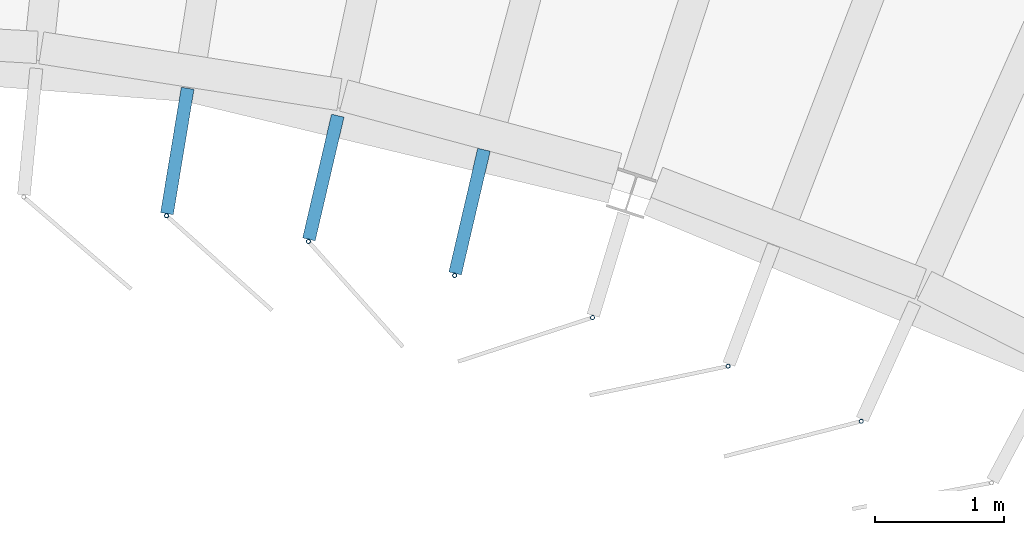
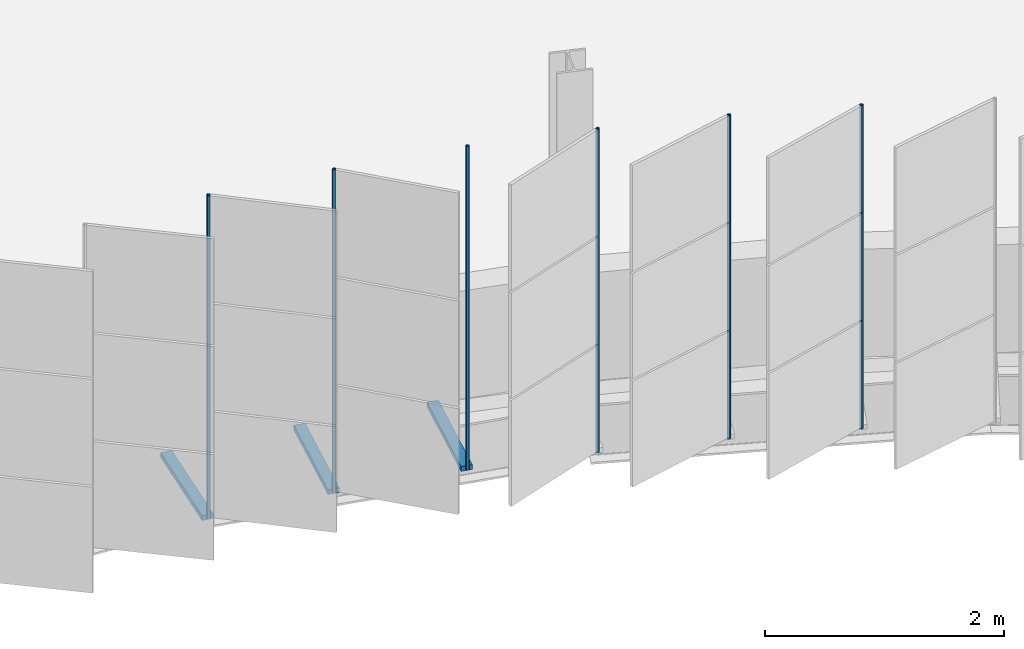
# One storey, part 126 of 214: 9 discrete accessories.
"""IFC4 building model written with IfcOpenShell, lengths in metres."""

from ifc_helpers import new_model, si_unit, direction, frame, origin, origin_2d, place, context, subcontext, project, spatial, rectangle, hollow_circle, extrude, material, material_profile, profile_set, type_object, element, save


model = new_model("IFC4")

# Units and contexts
model_context = context("Model", 3, precision=1e-05, world=origin(), true_north=direction((0.0, 1.0)))
body_context = subcontext(model_context, "Body", "Model", "MODEL_VIEW")
ifc_project = project(units=[si_unit("LENGTHUNIT", "METRE"), si_unit("AREAUNIT", "SQUARE_METRE"), si_unit("VOLUMEUNIT", "CUBIC_METRE"), si_unit("PLANEANGLEUNIT", "RADIAN"), si_unit("MASSUNIT", "GRAM", prefix="KILO")], contexts=[model_context])

# Site, building, storey
site_placement = place(None, origin())
site = spatial("IfcSite", under=ifc_project, at=site_placement, CompositionType="ELEMENT")
building_placement = place(site_placement, origin())
building = spatial("IfcBuilding", under=site, at=building_placement, Name="Parallax Yard Mobility Hub", CompositionType="ELEMENT")
storey_placement = place(building_placement, frame((0.0, 0.0, 3.300048828125)))
storey = spatial("IfcBuildingStorey", under=building, at=storey_placement, Name="L01", CompositionType="ELEMENT", Elevation=3.300048828125)

# Discrete accessories
ifc_material_1 = material(Name="Steel ASTM A36, hot-dip galvanised", Category="steel")
discrete_accessory_type_1 = type_object("IfcDiscreteAccessoryType", Name="Hinge bracket plate 100x50", PredefinedType="BRACKET", material=ifc_material_1)
for number, where, z_axis, x_axis, name in (
    (1, (175.937255859375, 111.726806640625, -0.02490234375), (0.0, 0.0, 1.0), (-0.162895473395, -0.986643332085, 0.0), "Hinge bracket plate bay 18.4 level L01"),
    (2, (177.068603515625, 111.52099609375, -0.02490234375), (0.0, 0.0, 1.0), (-0.227076263034, -0.973876979277, 0.0), "Hinge bracket plate bay 18.5 level L01"),
    (3, (178.201171875, 111.257080078125, -0.02490234375), (0.0, 0.0, 1.0), (-0.227076263034, -0.973876979277, 0.0), "Hinge bracket plate bay 18.6 level L01"),
):
    element("IfcDiscreteAccessory", number, at=place(storey_placement, frame(where, z_axis=z_axis, x_axis=x_axis)), inside=storey, type_object=discrete_accessory_type_1, Name=name, PredefinedType="BRACKET", context=body_context, shape_type="SweptSolid", body=[
        extrude(rectangle(XDim=0.984130859375, YDim=0.10009765625, at=origin_2d()), origin(), (0.0, 0.0, 1.0), 0.050048828125),
    ])
ifc_material_2 = material(Name="Steel ASTM A500 Gr C, hot-dip galvanised", Category="steel")
ifc_material_profile = material_profile(ifc_material_2, hollow_circle(Radius=0.016845703125, WallThickness=0.003173828125, at=origin_2d()), Name="CHS 33.7x3.2")
ifc_profile_set = profile_set([ifc_material_profile], Name="Steel ASTM A500 Gr C, hot-dip galvanised")
discrete_accessory_type_2 = type_object("IfcDiscreteAccessoryType", Name="Hinge post CHS 33.7x3.2", PredefinedType="BRACKET", material=ifc_profile_set)
for number, where, z_axis, x_axis, name in (
    (4, (175.8544921875, 111.22509765625, 0.0), (0.0, 0.0, 1.0), (1.0, 0.0, 0.0), "Hinge post bay 18.4 level L01"),
    (5, (176.953125, 111.02587890625, 0.0), (0.0, 0.0, 1.0), (1.0, 0.0, 0.0), "Hinge post bay 18.5 level L01"),
    (6, (178.085693359375, 110.761962890625, 0.0), (0.0, 0.0, 1.0), (1.0, 0.0, 0.0), "Hinge post bay 18.6 level L01"),
    (7, (179.154296875, 110.436279296875, 0.0), (0.0, 0.0, 1.0), (1.0, 0.0, 0.0), "Hinge post bay 19.1 level L01"),
    (8, (180.204833984375, 110.0595703125, 0.0), (0.0, 0.0, 1.0), (1.0, 0.0, 0.0), "Hinge post bay 19.2 level L01"),
    (9, (181.23583984375, 109.632568359375, 0.0), (0.0, 0.0, 1.0), (1.0, 0.0, 0.0), "Hinge post bay 19.3 level L01"),
):
    element("IfcDiscreteAccessory", number, at=place(storey_placement, frame(where, z_axis=z_axis, x_axis=x_axis)), inside=storey, type_object=discrete_accessory_type_2, Name=name, PredefinedType="BRACKET", context=body_context, shape_type="SweptSolid", body=[
        extrude(hollow_circle(Radius=0.016845703125, WallThickness=0.003173828125, at=origin_2d()), origin(), (0.0, 0.0, 1.0), 3.300048828125),
    ])

save(model, "model.ifc")
